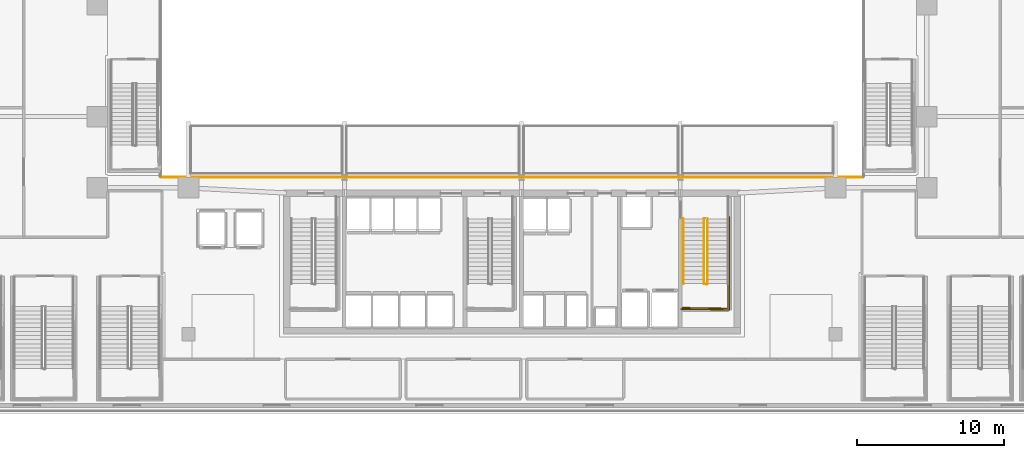
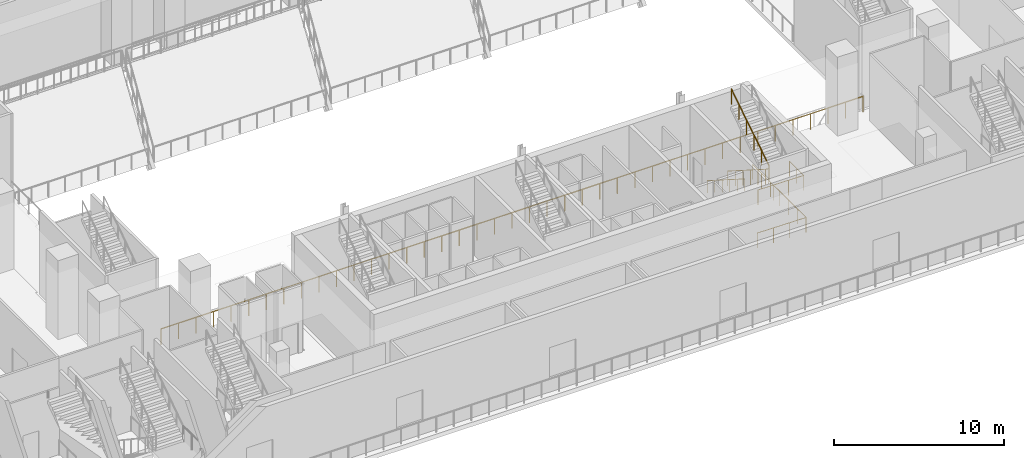
# One storey, part 20 of 30: 6 railings.
"""IFC4 building model written with IfcOpenShell, lengths in metres."""

import ifcopenshell
import ifcopenshell.guid

model = None  # the IFC model being written
_history = None  # IfcOwnerHistory: only IFC2X3 demands one
_inside = {}  # id of a spatial element -> (the spatial element, [elements in it])
_under = {}  # id of a project, library or spatial element -> (it, [spatial elements below it])
_declared = {}  # id of a project -> (the project, [libraries it declares])
_typed = {}  # id of a type object -> (the type object, [elements of that type])
_made_of = {}  # id of a material, layer set ... -> (it, [elements and type objects made of it])


def new_model(schema):
    """Start an empty IFC model of exactly this schema.

    Asked for "IFC4X3", IfcOpenShell would pick the latest addendum, in which some entities
    have other attributes; the version numbers below select the first issue.
    IFC2X3 requires an IfcOwnerHistory on every rooted entity: one is made here for all.
    """
    global model, _history
    if schema == "IFC4X3":
        model = ifcopenshell.file(schema_version=(4, 3, 0, 0))
    else:
        model = ifcopenshell.file(schema=schema)
    _inside.clear()
    _under.clear()
    _declared.clear()
    _typed.clear()
    _made_of.clear()
    _history = None
    if model.schema == "IFC2X3":
        org = make("IfcOrganization", Name="unknown")
        user = make(
            "IfcPersonAndOrganization",
            ThePerson=make("IfcPerson", FamilyName="unknown"),
            TheOrganization=org,
        )
        app = make(
            "IfcApplication",
            ApplicationDeveloper=org,
            Version="unknown",
            ApplicationFullName="unknown",
            ApplicationIdentifier="unknown",
        )
        _history = make(
            "IfcOwnerHistory",
            OwningUser=user,
            OwningApplication=app,
            ChangeAction="ADDED",
            CreationDate=0,
        )
    return model


def make(cls, **values):
    """One entity of the class cls with the attributes given. An attribute that is None is left unset."""
    return model.create_entity(
        cls, **{name: value for name, value in values.items() if value is not None}
    )


def rooted(cls, **values):
    """An entity with a GlobalId (a new one), such as an element, a storey or a relation."""
    return make(cls, GlobalId=ifcopenshell.guid.new(), OwnerHistory=_history, **values)


def si_unit(unit_type, name, prefix=None):
    """IfcSIUnit, for example si_unit("LENGTHUNIT", "METRE", prefix="MILLI")."""
    return make("IfcSIUnit", UnitType=unit_type, Prefix=prefix, Name=name)


def assignment(units):
    """IfcUnitAssignment: the units of a project."""
    return None if units is None else make("IfcUnitAssignment", Units=units)


def point(xyz):
    """IfcCartesianPoint."""
    return None if xyz is None else make("IfcCartesianPoint", Coordinates=xyz)


def direction(xyz):
    """IfcDirection."""
    return None if xyz is None else make("IfcDirection", DirectionRatios=xyz)


def frame(location, z_axis=None, x_axis=None):
    """IfcAxis2Placement3D, a coordinate frame: its origin and axes. An axis left out is left unset."""
    return make(
        "IfcAxis2Placement3D",
        Location=point(location),
        Axis=direction(z_axis),
        RefDirection=direction(x_axis),
    )


def frame_2d(location, x_axis=None):
    """IfcAxis2Placement2D, a coordinate frame in the plane: its origin and x axis."""
    return make(
        "IfcAxis2Placement2D", Location=point(location), RefDirection=direction(x_axis)
    )


def origin():
    """The frame at (0, 0, 0) with its axes left unset."""
    return frame((0.0, 0.0, 0.0))


def origin_2d():
    """The frame at (0, 0) in the plane with its x axis left unset."""
    return frame_2d((0.0, 0.0))


def place(relative_to, where):
    """IfcLocalPlacement: puts the frame where relative to a parent placement (None: the world)."""
    return make(
        "IfcLocalPlacement", PlacementRelTo=relative_to, RelativePlacement=where
    )


def context(
    kind, dimensions, precision=None, world=None, true_north=None, identifier=None
):
    """IfcGeometricRepresentationContext, for example the 3D "Model" context."""
    return make(
        "IfcGeometricRepresentationContext",
        ContextIdentifier=identifier,
        ContextType=kind,
        CoordinateSpaceDimension=dimensions,
        Precision=precision,
        WorldCoordinateSystem=world,
        TrueNorth=true_north,
    )


def subcontext(parent, identifier, kind, view, scale=None):
    """IfcGeometricRepresentationSubContext, for example "Body" below "Model"."""
    return make(
        "IfcGeometricRepresentationSubContext",
        ContextIdentifier=identifier,
        ContextType=kind,
        ParentContext=parent,
        TargetScale=scale,
        TargetView=view,
    )


def project(units=None, contexts=None):
    """IfcProject with its units and contexts."""
    return rooted(
        "IfcProject",
        Name="project",
        RepresentationContexts=contexts,
        UnitsInContext=assignment(units),
    )


def spatial(cls, under=None, at=None, **own):
    """A site, building, storey or space (cls), placed at a placement, below another one or the project."""
    s = rooted(cls, ObjectPlacement=at, **own)
    if under is not None:
        _under.setdefault(under.id(), (under, []))[1].append(s)
    return s


def profile(cls, at=None, kind="AREA", **sizes):
    """A parametric profile (cls). Its sizes go by their IFC names, for example OverallWidth=200.0."""
    return make(cls, ProfileType=kind, Position=at, **sizes)


def circle(**sizes):
    """IfcCircleProfileDef."""
    return profile("IfcCircleProfileDef", **sizes)


def extrude(swept, where, along, depth):
    """IfcExtrudedAreaSolid: the profile swept, set in the frame where, extruded along a direction by depth."""
    return make(
        "IfcExtrudedAreaSolid",
        SweptArea=swept,
        Position=where,
        ExtrudedDirection=direction(along),
        Depth=depth,
    )


def shape(context_of_items, identifier, shape_type, items):
    """IfcShapeRepresentation: the items that make up one representation, for example the "Body"."""
    return make(
        "IfcShapeRepresentation",
        ContextOfItems=context_of_items,
        RepresentationIdentifier=identifier,
        RepresentationType=shape_type,
        Items=items,
    )


def material(Name=None, Category=None):
    """IfcMaterial."""
    return make("IfcMaterial", Name=Name, Category=Category)


def layer(
    of_material, thickness, ventilated=None, Name=None, Category=None, Priority=None
):
    """IfcMaterialLayer: one layer of a wall or slab, of a material (None: an air gap)."""
    return make(
        "IfcMaterialLayer",
        Material=of_material,
        LayerThickness=thickness,
        IsVentilated=ventilated,
        Name=Name,
        Category=Category,
        Priority=Priority,
    )


def layer_set(layers, Name=None):
    """IfcMaterialLayerSet."""
    return make("IfcMaterialLayerSet", MaterialLayers=layers, LayerSetName=Name)


def made_of(thing, what):
    """Note that an element or type object is made of a material, layer set ...; save() writes the relation."""
    if what is not None:
        _made_of.setdefault(what.id(), (what, []))[1].append(thing)
    return thing


def type_object(cls, material=None, **own):
    """A type object (cls), such as IfcWallType, which elements share."""
    return made_of(rooted(cls, **own), material)


def element(
    cls,
    number,
    at=None,
    inside=None,
    cuts=None,
    type_object=None,
    material=None,
    context=None,
    identifier="Body",
    shape_type=None,
    held_by="IfcProductDefinitionShape",
    body=None,
    shapes=None,
    **own,
):
    """One element of the class cls, such as IfcWall. Its Tag is "e" and its number.

    at: its placement. inside: the storey or other place that contains it. cuts: it is an
    opening in that element (IfcRelVoidsElement). A single representation is given by context,
    identifier, shape_type and body (its items); several are given by shapes. held_by: the class
    of the entity that holds the representations. save() writes the other relations.
    """
    e = rooted(cls, Tag="e%d" % number, ObjectPlacement=at, **own)
    if body is not None:
        shapes = [shape(context, identifier, shape_type, body)]
    if shapes is not None:
        e.Representation = make(held_by, Representations=shapes)
    if inside is not None:
        _inside.setdefault(inside.id(), (inside, []))[1].append(e)
    if cuts is not None:
        rooted(
            "IfcRelVoidsElement", RelatingBuildingElement=cuts, RelatedOpeningElement=e
        )
    if type_object is not None:
        _typed.setdefault(type_object.id(), (type_object, []))[1].append(e)
    return made_of(e, material)


def aggregate(whole, parts):
    """IfcRelAggregates: a whole, such as a stair, and the parts it consists of."""
    return rooted("IfcRelAggregates", RelatingObject=whole, RelatedObjects=parts)


def save(model, path):
    """Write the relations noted so far, then the file.

    IfcRelAggregates (storeys below a building ...), IfcRelContainedInSpatialStructure (elements
    in a storey), IfcRelDefinesByType, IfcRelAssociatesMaterial and IfcRelDeclares: one each for
    every whole, place, type object, material and project.
    """
    for whole, parts in _under.values():
        aggregate(whole, parts)
    for where, things in _inside.values():
        rooted(
            "IfcRelContainedInSpatialStructure",
            RelatedElements=things,
            RelatingStructure=where,
        )
    for kind, things in _typed.values():
        rooted("IfcRelDefinesByType", RelatedObjects=things, RelatingType=kind)
    for what, things in _made_of.values():
        rooted("IfcRelAssociatesMaterial", RelatedObjects=things, RelatingMaterial=what)
    for by, libraries in _declared.values():
        rooted("IfcRelDeclares", RelatingContext=by, RelatedDefinitions=libraries)
    model.write(path)


model = new_model("IFC4")

# Units and contexts
model_context = context("Model", 3, precision=1e-05, world=origin(), true_north=direction((0.0, 1.0)))
body_context = subcontext(model_context, "Body", "Model", "MODEL_VIEW")
ifc_project = project(units=[si_unit("LENGTHUNIT", "METRE"), si_unit("AREAUNIT", "SQUARE_METRE"), si_unit("VOLUMEUNIT", "CUBIC_METRE"), si_unit("PLANEANGLEUNIT", "RADIAN"), si_unit("MASSUNIT", "GRAM", prefix="KILO")], contexts=[model_context])

# Site, building, storey
site_placement = place(None, origin())
site = spatial("IfcSite", under=ifc_project, at=site_placement, CompositionType="ELEMENT")
building_placement = place(site_placement, origin())
building = spatial("IfcBuilding", under=site, at=building_placement, Name="Ndaravel Arena Tower", CompositionType="ELEMENT")
storey_placement = place(building_placement, frame((0.0, 0.0, 6.0)))
storey = spatial("IfcBuildingStorey", under=building, at=storey_placement, Name="L01", CompositionType="ELEMENT", Elevation=6.0)

# Railings
ifc_material_1 = material(Name="Steel S355", Category="steel")
ifc_layer_1 = layer(ifc_material_1, 0.06005859375)
ifc_layer_set_1 = layer_set([ifc_layer_1], Name="Steel S355")
railing_type_1 = type_object("IfcRailingType", Name="RAIL-STAIR-GD1100", PredefinedType="GUARDRAIL", material=ifc_layer_set_1)
railing_1_placement = place(storey_placement, frame((55.050048828125, 13.25, 0.1875)))
element("IfcRailing", 1, at=railing_1_placement, inside=storey, type_object=railing_type_1, Name="L01 ST-3 stair guard 1", PredefinedType="GUARDRAIL", context=body_context, shape_type="SweptSolid", body=[
    extrude(circle(Radius=0.02392578125, at=origin_2d()), frame((0.0, 0.0, 1.076171875), z_axis=(0.0, -0.843958541447, 0.536408408136), x_axis=(1.0, 0.0, 0.0)), (0.0, 0.0, 1.0), 5.2431640625),
    extrude(circle(Radius=0.02392578125, at=origin_2d()), frame((0.0, -4.425048828125, 3.888671875), z_axis=(0.966993988697, -0.254799187253, 0.0), x_axis=(0.254799187253, 0.966993988697, 0.0)), (0.0, 0.0, 1.0), 0.196533203125),
    extrude(circle(Radius=0.02099609375, at=origin_2d()), origin(), (0.0, 0.0, 1.0), 1.052001953125),
    extrude(circle(Radius=0.02099609375, at=origin_2d()), frame((0.0, -0.885009765625, 0.5625)), (0.0, 0.0, 1.0), 1.052001953125),
    extrude(circle(Radius=0.02099609375, at=origin_2d()), frame((0.0, -1.77001953125, 1.125)), (0.0, 0.0, 1.0), 1.052001953125),
    extrude(circle(Radius=0.02099609375, at=origin_2d()), frame((0.0, -2.655029296875, 1.6875)), (0.0, 0.0, 1.0), 1.052001953125),
    extrude(circle(Radius=0.02099609375, at=origin_2d()), frame((0.0, -3.5400390625, 2.25)), (0.0, 0.0, 1.0), 1.052001953125),
    extrude(circle(Radius=0.02099609375, at=origin_2d()), frame((0.0, -4.425048828125, 2.8125)), (0.0, 0.0, 1.0), 1.052001953125),
    extrude(circle(Radius=0.02099609375, at=origin_2d()), frame((0.18994140625, -4.47509765625, 2.8125)), (0.0, 0.0, 1.0), 1.052001953125),
])
railing_2_placement = place(storey_placement, frame((56.68994140625, 8.824951171875, 3.0)))
element("IfcRailing", 2, at=railing_2_placement, inside=storey, type_object=railing_type_1, Name="L01 ST-3 stair guard 2", PredefinedType="GUARDRAIL", context=body_context, shape_type="SweptSolid", body=[
    extrude(circle(Radius=0.02392578125, at=origin_2d()), frame((0.0, 0.0, 1.076171875), z_axis=(0.0, -1.0, 0.0), x_axis=(1.0, 0.0, 0.0)), (0.0, 0.0, 1.0), 1.675048828125),
    extrude(circle(Radius=0.02392578125, at=origin_2d()), frame((0.0, -1.675048828125, 1.076171875), z_axis=(-0.999868840623, 0.016195726322, 0.0), x_axis=(-0.016195726322, -0.999868840623, 0.0)), (0.0, 0.0, 1.0), 3.09033203125),
    extrude(circle(Radius=0.02099609375, at=origin_2d()), origin(), (0.0, 0.0, 1.0), 1.052001953125),
    extrude(circle(Radius=0.02099609375, at=origin_2d()), frame((0.0, -0.83740234375, 0.0)), (0.0, 0.0, 1.0), 1.052001953125),
    extrude(circle(Radius=0.02099609375, at=origin_2d()), frame((0.0, -1.675048828125, 0.0)), (0.0, 0.0, 1.0), 1.052001953125),
    extrude(circle(Radius=0.02099609375, at=origin_2d()), frame((-1.030029296875, -1.658447265625, 0.0)), (0.0, 0.0, 1.0), 1.052001953125),
    extrude(circle(Radius=0.02099609375, at=origin_2d()), frame((-2.059814453125, -1.6416015625, 0.0)), (0.0, 0.0, 1.0), 1.052001953125),
    extrude(circle(Radius=0.02099609375, at=origin_2d()), frame((-3.08984375, -1.625, 0.0)), (0.0, 0.0, 1.0), 1.052001953125),
])
railing_3_placement = place(storey_placement, frame((55.2900390625, 8.824951171875, 3.1875)))
element("IfcRailing", 3, at=railing_3_placement, inside=storey, type_object=railing_type_1, Name="L01 ST-3 stair guard 3", PredefinedType="GUARDRAIL", context=body_context, shape_type="SweptSolid", body=[
    extrude(circle(Radius=0.02392578125, at=origin_2d()), frame((0.0, 0.0, 1.076171875), z_axis=(0.0, 0.843958541447, 0.536408408136), x_axis=(-1.0, 0.0, 0.0)), (0.0, 0.0, 1.0), 5.2431640625),
    extrude(circle(Radius=0.02099609375, at=origin_2d()), origin(), (0.0, 0.0, 1.0), 1.052001953125),
    extrude(circle(Radius=0.02099609375, at=origin_2d()), frame((0.0, 0.885009765625, 0.5625)), (0.0, 0.0, 1.0), 1.052001953125),
    extrude(circle(Radius=0.02099609375, at=origin_2d()), frame((0.0, 1.77001953125, 1.125)), (0.0, 0.0, 1.0), 1.052001953125),
    extrude(circle(Radius=0.02099609375, at=origin_2d()), frame((0.0, 2.655029296875, 1.6875)), (0.0, 0.0, 1.0), 1.052001953125),
    extrude(circle(Radius=0.02099609375, at=origin_2d()), frame((0.0, 3.5400390625, 2.25)), (0.0, 0.0, 1.0), 1.052001953125),
    extrude(circle(Radius=0.02099609375, at=origin_2d()), frame((0.0, 4.425048828125, 2.8125)), (0.0, 0.0, 1.0), 1.052001953125),
])
railing_4_placement = place(storey_placement, frame((56.7900390625, 13.35009765625, 0.0)))
element("IfcRailing", 4, at=railing_4_placement, inside=storey, type_object=railing_type_1, Name="L01 ST-3 stair guard 6", PredefinedType="GUARDRAIL", context=body_context, shape_type="SweptSolid", body=[
    extrude(circle(Radius=0.02392578125, at=origin_2d()), frame((0.0, 0.0, 1.076171875), z_axis=(0.0, -1.0, 0.0), x_axis=(1.0, 0.0, 0.0)), (0.0, 0.0, 1.0), 6.300048828125),
    extrude(circle(Radius=0.02392578125, at=origin_2d()), frame((0.0, -6.300048828125, 1.076171875), z_axis=(-0.99988431412, 0.015210469308, 0.0), x_axis=(-0.015210469308, -0.99988431412, 0.0)), (0.0, 0.0, 1.0), 3.29052734375),
    extrude(circle(Radius=0.02099609375, at=origin_2d()), origin(), (0.0, 0.0, 1.0), 1.052001953125),
    extrude(circle(Radius=0.02099609375, at=origin_2d()), frame((0.0, -1.050048828125, 0.0)), (0.0, 0.0, 1.0), 1.052001953125),
    extrude(circle(Radius=0.02099609375, at=origin_2d()), frame((0.0, -2.10009765625, 0.0)), (0.0, 0.0, 1.0), 1.052001953125),
    extrude(circle(Radius=0.02099609375, at=origin_2d()), frame((0.0, -3.14990234375, 0.0)), (0.0, 0.0, 1.0), 1.052001953125),
    extrude(circle(Radius=0.02099609375, at=origin_2d()), frame((0.0, -4.199951171875, 0.0)), (0.0, 0.0, 1.0), 1.052001953125),
    extrude(circle(Radius=0.02099609375, at=origin_2d()), frame((0.0, -5.25, 0.0)), (0.0, 0.0, 1.0), 1.052001953125),
    extrude(circle(Radius=0.02099609375, at=origin_2d()), frame((0.0, -6.300048828125, 0.0)), (0.0, 0.0, 1.0), 1.052001953125),
    extrude(circle(Radius=0.02099609375, at=origin_2d()), frame((-1.0966796875, -6.283447265625, 0.0)), (0.0, 0.0, 1.0), 1.052001953125),
    extrude(circle(Radius=0.02099609375, at=origin_2d()), frame((-2.193359375, -6.2666015625, 0.0)), (0.0, 0.0, 1.0), 1.052001953125),
    extrude(circle(Radius=0.02099609375, at=origin_2d()), frame((-3.2900390625, -6.25, 0.0)), (0.0, 0.0, 1.0), 1.052001953125),
])
ifc_material_2 = material(Name="Steel S355", Category="steel")
ifc_layer_2 = layer(ifc_material_2, 0.050048828125)
ifc_layer_set_2 = layer_set([ifc_layer_2], Name="Steel S355")
railing_type_2 = type_object("IfcRailingType", Name="RAIL-STAIR-HR920", PredefinedType="HANDRAIL", material=ifc_layer_set_2)
railing_5_placement = place(storey_placement, frame((53.64990234375, 13.25, 0.1875)))
element("IfcRailing", 5, at=railing_5_placement, inside=storey, type_object=railing_type_2, Name="L01 ST-3 stair handrail 1", PredefinedType="HANDRAIL", context=body_context, shape_type="SweptSolid", body=[
    extrude(circle(Radius=0.02392578125, at=origin_2d()), frame((0.0, 0.0, 0.8759765625), z_axis=(0.0, -0.843958541447, 0.536408408136), x_axis=(1.0, 0.0, 0.0)), (0.0, 0.0, 1.0), 5.2431640625),
    extrude(circle(Radius=0.02099609375, at=origin_2d()), origin(), (0.0, 0.0, 1.0), 0.851806640625),
    extrude(circle(Radius=0.02099609375, at=origin_2d()), frame((0.0, -0.885009765625, 0.5625)), (0.0, 0.0, 1.0), 0.851806640625),
    extrude(circle(Radius=0.02099609375, at=origin_2d()), frame((0.0, -1.77001953125, 1.125)), (0.0, 0.0, 1.0), 0.851806640625),
    extrude(circle(Radius=0.02099609375, at=origin_2d()), frame((0.0, -2.655029296875, 1.6875)), (0.0, 0.0, 1.0), 0.851806640625),
    extrude(circle(Radius=0.02099609375, at=origin_2d()), frame((0.0, -3.5400390625, 2.25)), (0.0, 0.0, 1.0), 0.851806640625),
    extrude(circle(Radius=0.02099609375, at=origin_2d()), frame((0.0, -4.425048828125, 2.8125)), (0.0, 0.0, 1.0), 0.851806640625),
])
ifc_material_3 = material(Name="Glazing", Category="glass")
ifc_layer_3 = layer(ifc_material_3, 0.070068359375)
ifc_layer_set_3 = layer_set([ifc_layer_3], Name="Glazing")
railing_type_3 = type_object("IfcRailingType", Name="RAIL-TERRACE-1150", PredefinedType="BALUSTRADE", material=ifc_layer_set_3)
railing_6_placement = place(storey_placement, frame((18.1201171875, 16.080078125, 0.0)))
element("IfcRailing", 6, at=railing_6_placement, inside=storey, type_object=railing_type_3, Name="L01 Arena Bowl Concourse S Balustrade", PredefinedType="BALUSTRADE", context=body_context, shape_type="SweptSolid", body=[
    extrude(circle(Radius=0.02392578125, at=origin_2d()), frame((0.0, 0.0, 1.1259765625), z_axis=(1.0, 0.0, 0.0), x_axis=(0.0, 1.0, 0.0)), (0.0, 0.0, 1.0), 47.759765625),
    extrude(circle(Radius=0.02099609375, at=origin_2d()), origin(), (0.0, 0.0, 1.0), 1.101806640625),
    extrude(circle(Radius=0.02099609375, at=origin_2d()), frame((1.194091796875, 0.0, 0.0)), (0.0, 0.0, 1.0), 1.101806640625),
    extrude(circle(Radius=0.02099609375, at=origin_2d()), frame((2.387939453125, 0.0, 0.0)), (0.0, 0.0, 1.0), 1.101806640625),
    extrude(circle(Radius=0.02099609375, at=origin_2d()), frame((3.58203125, 0.0, 0.0)), (0.0, 0.0, 1.0), 1.101806640625),
    extrude(circle(Radius=0.02099609375, at=origin_2d()), frame((4.77587890625, 0.0, 0.0)), (0.0, 0.0, 1.0), 1.101806640625),
    extrude(circle(Radius=0.02099609375, at=origin_2d()), frame((5.969970703125, 0.0, 0.0)), (0.0, 0.0, 1.0), 1.101806640625),
    extrude(circle(Radius=0.02099609375, at=origin_2d()), frame((7.1640625, 0.0, 0.0)), (0.0, 0.0, 1.0), 1.101806640625),
    extrude(circle(Radius=0.02099609375, at=origin_2d()), frame((8.35791015625, 0.0, 0.0)), (0.0, 0.0, 1.0), 1.101806640625),
    extrude(circle(Radius=0.02099609375, at=origin_2d()), frame((9.552001953125, 0.0, 0.0)), (0.0, 0.0, 1.0), 1.101806640625),
    extrude(circle(Radius=0.02099609375, at=origin_2d()), frame((10.745849609375, 0.0, 0.0)), (0.0, 0.0, 1.0), 1.101806640625),
    extrude(circle(Radius=0.02099609375, at=origin_2d()), frame((11.93994140625, 0.0, 0.0)), (0.0, 0.0, 1.0), 1.101806640625),
    extrude(circle(Radius=0.02099609375, at=origin_2d()), frame((13.134033203125, 0.0, 0.0)), (0.0, 0.0, 1.0), 1.101806640625),
    extrude(circle(Radius=0.02099609375, at=origin_2d()), frame((14.327880859375, 0.0, 0.0)), (0.0, 0.0, 1.0), 1.101806640625),
    extrude(circle(Radius=0.02099609375, at=origin_2d()), frame((15.52197265625, 0.0, 0.0)), (0.0, 0.0, 1.0), 1.101806640625),
    extrude(circle(Radius=0.02099609375, at=origin_2d()), frame((16.7158203125, 0.0, 0.0)), (0.0, 0.0, 1.0), 1.101806640625),
    extrude(circle(Radius=0.02099609375, at=origin_2d()), frame((17.909912109375, 0.0, 0.0)), (0.0, 0.0, 1.0), 1.101806640625),
    extrude(circle(Radius=0.02099609375, at=origin_2d()), frame((19.10400390625, 0.0, 0.0)), (0.0, 0.0, 1.0), 1.101806640625),
    extrude(circle(Radius=0.02099609375, at=origin_2d()), frame((20.2978515625, 0.0, 0.0)), (0.0, 0.0, 1.0), 1.101806640625),
    extrude(circle(Radius=0.02099609375, at=origin_2d()), frame((21.491943359375, 0.0, 0.0)), (0.0, 0.0, 1.0), 1.101806640625),
    extrude(circle(Radius=0.02099609375, at=origin_2d()), frame((22.685791015625, 0.0, 0.0)), (0.0, 0.0, 1.0), 1.101806640625),
    extrude(circle(Radius=0.02099609375, at=origin_2d()), frame((23.8798828125, 0.0, 0.0)), (0.0, 0.0, 1.0), 1.101806640625),
    extrude(circle(Radius=0.02099609375, at=origin_2d()), frame((25.073974609375, 0.0, 0.0)), (0.0, 0.0, 1.0), 1.101806640625),
    extrude(circle(Radius=0.02099609375, at=origin_2d()), frame((26.267822265625, 0.0, 0.0)), (0.0, 0.0, 1.0), 1.101806640625),
    extrude(circle(Radius=0.02099609375, at=origin_2d()), frame((27.4619140625, 0.0, 0.0)), (0.0, 0.0, 1.0), 1.101806640625),
    extrude(circle(Radius=0.02099609375, at=origin_2d()), frame((28.65576171875, 0.0, 0.0)), (0.0, 0.0, 1.0), 1.101806640625),
    extrude(circle(Radius=0.02099609375, at=origin_2d()), frame((29.849853515625, 0.0, 0.0)), (0.0, 0.0, 1.0), 1.101806640625),
    extrude(circle(Radius=0.02099609375, at=origin_2d()), frame((31.0439453125, 0.0, 0.0)), (0.0, 0.0, 1.0), 1.101806640625),
    extrude(circle(Radius=0.02099609375, at=origin_2d()), frame((32.23779296875, 0.0, 0.0)), (0.0, 0.0, 1.0), 1.101806640625),
    extrude(circle(Radius=0.02099609375, at=origin_2d()), frame((33.431884765625, 0.0, 0.0)), (0.0, 0.0, 1.0), 1.101806640625),
    extrude(circle(Radius=0.02099609375, at=origin_2d()), frame((34.625732421875, 0.0, 0.0)), (0.0, 0.0, 1.0), 1.101806640625),
    extrude(circle(Radius=0.02099609375, at=origin_2d()), frame((35.81982421875, 0.0, 0.0)), (0.0, 0.0, 1.0), 1.101806640625),
    extrude(circle(Radius=0.02099609375, at=origin_2d()), frame((37.013916015625, 0.0, 0.0)), (0.0, 0.0, 1.0), 1.101806640625),
    extrude(circle(Radius=0.02099609375, at=origin_2d()), frame((38.207763671875, 0.0, 0.0)), (0.0, 0.0, 1.0), 1.101806640625),
    extrude(circle(Radius=0.02099609375, at=origin_2d()), frame((39.40185546875, 0.0, 0.0)), (0.0, 0.0, 1.0), 1.101806640625),
    extrude(circle(Radius=0.02099609375, at=origin_2d()), frame((40.595703125, 0.0, 0.0)), (0.0, 0.0, 1.0), 1.101806640625),
    extrude(circle(Radius=0.02099609375, at=origin_2d()), frame((41.789794921875, 0.0, 0.0)), (0.0, 0.0, 1.0), 1.101806640625),
    extrude(circle(Radius=0.02099609375, at=origin_2d()), frame((42.98388671875, 0.0, 0.0)), (0.0, 0.0, 1.0), 1.101806640625),
    extrude(circle(Radius=0.02099609375, at=origin_2d()), frame((44.177734375, 0.0, 0.0)), (0.0, 0.0, 1.0), 1.101806640625),
    extrude(circle(Radius=0.02099609375, at=origin_2d()), frame((45.371826171875, 0.0, 0.0)), (0.0, 0.0, 1.0), 1.101806640625),
    extrude(circle(Radius=0.02099609375, at=origin_2d()), frame((46.565673828125, 0.0, 0.0)), (0.0, 0.0, 1.0), 1.101806640625),
    extrude(circle(Radius=0.02099609375, at=origin_2d()), frame((47.759765625, 0.0, 0.0)), (0.0, 0.0, 1.0), 1.101806640625),
])

save(model, "model.ifc")
